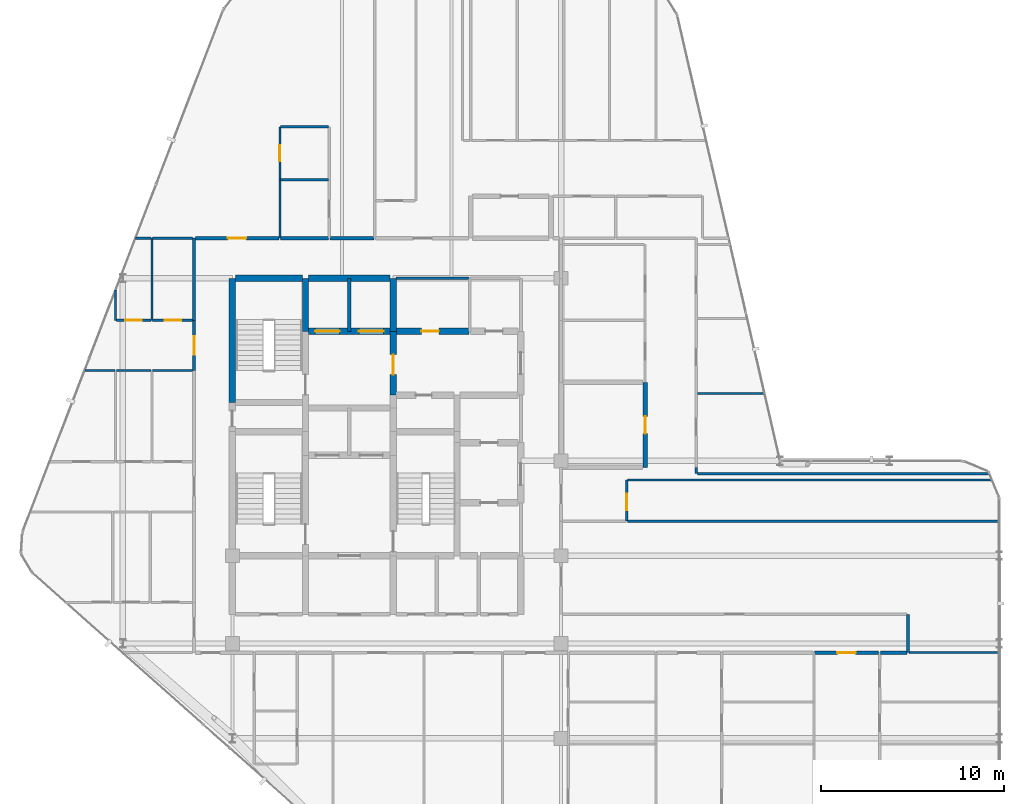
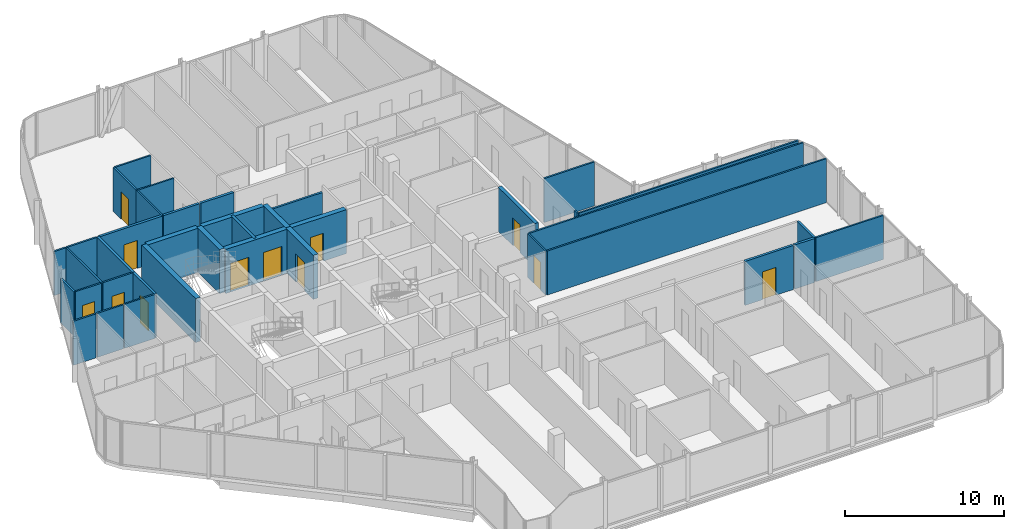
# One storey, part 26 of 29: 39 walls, 12 doors, 12 openings.
"""IFC4 building model written with IfcOpenShell, lengths in metres."""

from ifc_helpers import new_model, si_unit, direction, frame, frame_2d, origin, place, context, subcontext, project, spatial, rectangle, extrude, material, layer, layer_set, type_object, element, fill, save


model = new_model("IFC4")

# Units and contexts
model_context = context("Model", 3, precision=1e-05, world=origin(), true_north=direction((0.0, 1.0)))
body_context = subcontext(model_context, "Body", "Model", "MODEL_VIEW")
ifc_project = project(units=[si_unit("LENGTHUNIT", "METRE"), si_unit("AREAUNIT", "SQUARE_METRE"), si_unit("VOLUMEUNIT", "CUBIC_METRE"), si_unit("PLANEANGLEUNIT", "RADIAN"), si_unit("MASSUNIT", "GRAM", prefix="KILO")], contexts=[model_context])

# Site, building, storey
site_placement = place(None, origin())
site = spatial("IfcSite", under=ifc_project, at=site_placement, CompositionType="ELEMENT")
building_placement = place(site_placement, origin())
building = spatial("IfcBuilding", under=site, at=building_placement, Name="Keshet Zoharim Tower", CompositionType="ELEMENT")
storey_placement = place(building_placement, frame((0.0, 0.0, 226.5)))
storey = spatial("IfcBuildingStorey", under=building, at=storey_placement, Name="L56", CompositionType="ELEMENT", Elevation=226.5)

# Walls
ifc_material_1 = material(Name="Gypsum Plasterboard", Category="gypsum")
ifc_layer_1 = layer(ifc_material_1, 0.14990234375)
ifc_layer_set_1 = layer_set([ifc_layer_1], Name="Gypsum Plasterboard")
wall_type_1 = type_object("IfcWallType", Name="WL-CLIN-150", PredefinedType="STANDARD", material=ifc_layer_set_1)
wall_1_placement = place(storey_placement, frame((52.0, 17.409912109375, 0.0), z_axis=(0.0, 0.0, 1.0), x_axis=(0.0, 1.0, 0.0)))
element("IfcWall", 1, at=wall_1_placement, inside=storey, type_object=wall_type_1, Name="L56 Interior Wall 096", PredefinedType="STANDARD", context=body_context, shape_type="SweptSolid", body=[
    extrude(rectangle(XDim=2.090087890625, YDim=0.14990234375, at=frame_2d((1.044921875, 0.0))), origin(), (0.0, 0.0, 1.0), 3.389892578125),
])
wall_2_placement = place(storey_placement, frame((23.9599609375, 37.89990234375, 0.0), z_axis=(0.0, 0.0, 1.0), x_axis=(1.0, 0.0, 0.0)))
element("IfcWall", 2, at=wall_2_placement, inside=storey, type_object=wall_type_1, Name="L56 Interior Wall 169", PredefinedType="STANDARD", context=body_context, shape_type="SweptSolid", body=[
    extrude(rectangle(XDim=3.9951171875, YDim=0.14990234375, at=frame_2d((1.99755859375, 0.0))), origin(), (0.0, 0.0, 1.0), 2.889892578125),
])
ifc_material_2 = material(Name="Concrete C60/75", Category="concrete")
ifc_layer_2 = layer(ifc_material_2, 0.35009765625)
ifc_layer_set_2 = layer_set([ifc_layer_2], Name="Concrete C60/75")
wall_type_2 = type_object("IfcWallType", Name="WL-CORE-350", PredefinedType="SHEAR", material=ifc_layer_set_2)
wall_3_placement = place(storey_placement, frame((15.0, 31.10009765625, 0.0), z_axis=(0.0, 0.0, 1.0), x_axis=(0.0, 1.0, 0.0)))
element("IfcWall", 3, at=wall_3_placement, inside=storey, type_object=wall_type_2, Name="L56 Core Shear Wall 016", PredefinedType="SHEAR", context=body_context, shape_type="SweptSolid", body=[
    extrude(rectangle(XDim=6.7998046875, YDim=0.35009765625, at=frame_2d((3.39990234375, 0.0))), origin(), (0.0, 0.0, 1.0), 3.389892578125),
])
wall_4_placement = place(storey_placement, frame((19.0, 35.0, 0.0), z_axis=(0.0, 0.0, 1.0), x_axis=(0.0, 1.0, 0.0)))
element("IfcWall", 4, at=wall_4_placement, inside=storey, type_object=wall_type_2, Name="L56 Core Shear Wall 027", PredefinedType="SHEAR", context=body_context, shape_type="SweptSolid", body=[
    extrude(rectangle(XDim=2.89990234375, YDim=0.35009765625, at=frame_2d((1.449951171875, 0.0))), origin(), (0.0, 0.0, 1.0), 3.389892578125),
])

# Wall, opening, door
wall_5_placement = place(storey_placement, frame((23.800048828125, 31.5, 0.0), z_axis=(0.0, 0.0, 1.0), x_axis=(0.0, 1.0, 0.0)))
wall_5 = element("IfcWall", 5, at=wall_5_placement, inside=storey, type_object=wall_type_2, Name="L56 Core Shear Wall 040", PredefinedType="SHEAR", context=body_context, shape_type="SweptSolid", body=[
    extrude(rectangle(XDim=3.5, YDim=0.35009765625, at=frame_2d((1.75, 0.0))), origin(), (0.0, 0.0, 1.0), 3.389892578125),
])
opening_1_placement = place(wall_5_placement, frame((1.126953125, 0.0, 0.0)))
opening_1 = element("IfcOpeningElement", 6, at=opening_1_placement, cuts=wall_5, Name="Opening D-F611", PredefinedType="OPENING", context=body_context, shape_type="SweptSolid", body=[
    extrude(rectangle(XDim=1.10009765625, YDim=2.14990234375, at=frame_2d((0.550048828125, 1.074951171875))), frame((0.0, 0.18505859375, 0.0), z_axis=(0.0, -1.0, 0.0), x_axis=(1.0, 0.0, 0.0)), (0.0, 0.0, 1.0), 0.3701171875),
])
ifc_material_3 = material(Name="Hardwood Timber", Category="wood")
door_type_1 = type_object("IfcDoorType", Name="DR-FD60-110", OperationType="NOTDEFINED", PredefinedType="DOOR", material=ifc_material_3)
door_1_placement = place(opening_1_placement, origin())
door_1 = element("IfcDoor", 7, at=door_1_placement, inside=storey, type_object=door_type_1, Name="L56 Firefighting Lobby Fire Door", OperationType="SINGLE_SWING_LEFT", OverallHeight=2.14990234375, OverallWidth=1.10009765625, PredefinedType="DOOR", context=body_context, shape_type="SweptSolid", body=[
    extrude(rectangle(XDim=1.10009765625, YDim=2.14990234375, at=frame_2d((0.550048828125, 1.074951171875))), frame((0.0, 0.02490234375, 0.0), z_axis=(0.0, -1.0, 0.0), x_axis=(1.0, 0.0, 0.0)), (0.0, 0.0, 1.0), 0.050048828125),
])
fill(opening_1, door_1)

# Wall
wall_6_placement = place(storey_placement, frame((23.800048828125, 35.0, 0.0), z_axis=(0.0, 0.0, 1.0), x_axis=(0.0, 1.0, 0.0)))
element("IfcWall", 8, at=wall_6_placement, inside=storey, type_object=wall_type_2, Name="L56 Core Shear Wall 041", PredefinedType="SHEAR", context=body_context, shape_type="SweptSolid", body=[
    extrude(rectangle(XDim=2.89990234375, YDim=0.35009765625, at=frame_2d((1.449951171875, 0.0))), origin(), (0.0, 0.0, 1.0), 3.389892578125),
])

# Wall, openings, doors
wall_7_placement = place(storey_placement, frame((19.159912109375, 35.0, 0.0), z_axis=(0.0, 0.0, 1.0), x_axis=(1.0, 0.0, 0.0)))
wall_7 = element("IfcWall", 9, at=wall_7_placement, inside=storey, type_object=wall_type_2, Name="L56 Core Shear Wall 160", PredefinedType="SHEAR", context=body_context, shape_type="SweptSolid", body=[
    extrude(rectangle(XDim=4.47998046875, YDim=0.35009765625, at=frame_2d((2.239990234375, 0.0))), origin(), (0.0, 0.0, 1.0), 3.389892578125),
])
opening_2_placement = place(wall_7_placement, frame((0.364990234375, 0.0, 0.0)))
opening_2 = element("IfcOpeningElement", 10, at=opening_2_placement, cuts=wall_7, Name="Opening LD-02", PredefinedType="OPENING", context=body_context, shape_type="SweptSolid", body=[
    extrude(rectangle(XDim=1.35009765625, YDim=2.199951171875, at=frame_2d((0.675048828125, 1.10009765625))), frame((0.0, 0.18505859375, 0.0), z_axis=(0.0, -1.0, 0.0), x_axis=(1.0, 0.0, 0.0)), (0.0, 0.0, 1.0), 0.3701171875),
])
opening_3_placement = place(wall_7_placement, frame((2.764892578125, 0.0, 0.0)))
opening_3 = element("IfcOpeningElement", 11, at=opening_3_placement, cuts=wall_7, Name="Opening LD-02", PredefinedType="OPENING", context=body_context, shape_type="SweptSolid", body=[
    extrude(rectangle(XDim=1.35009765625, YDim=2.199951171875, at=frame_2d((0.675048828125, 1.10009765625))), frame((0.0, 0.18505859375, 0.0), z_axis=(0.0, -1.0, 0.0), x_axis=(1.0, 0.0, 0.0)), (0.0, 0.0, 1.0), 0.3701171875),
])
ifc_material_4 = material(Name="Steel S355", Category="steel")
door_type_2 = type_object("IfcDoorType", Name="DR-LD02-135", OperationType="DOUBLE_DOOR_SLIDING", PredefinedType="DOOR", material=ifc_material_4)
door_2_placement = place(opening_2_placement, origin())
door_2 = element("IfcDoor", 12, at=door_2_placement, inside=storey, type_object=door_type_2, Name="L56 Firefighting Lift Landing Door FF-01", OperationType="DOUBLE_DOOR_SLIDING", OverallHeight=2.199951171875, OverallWidth=1.35009765625, PredefinedType="DOOR", context=body_context, shape_type="SweptSolid", body=[
    extrude(rectangle(XDim=1.35009765625, YDim=2.199951171875, at=frame_2d((0.675048828125, 1.10009765625))), frame((0.0, 0.02490234375, 0.0), z_axis=(0.0, -1.0, 0.0), x_axis=(1.0, 0.0, 0.0)), (0.0, 0.0, 1.0), 0.050048828125),
])
fill(opening_2, door_2)
door_3_placement = place(opening_3_placement, origin())
door_3 = element("IfcDoor", 13, at=door_3_placement, inside=storey, type_object=door_type_2, Name="L56 Firefighting Lift Landing Door FF-02", OperationType="DOUBLE_DOOR_SLIDING", OverallHeight=2.199951171875, OverallWidth=1.35009765625, PredefinedType="DOOR", context=body_context, shape_type="SweptSolid", body=[
    extrude(rectangle(XDim=1.35009765625, YDim=2.199951171875, at=frame_2d((0.675048828125, 1.10009765625))), frame((0.0, 0.02490234375, 0.0), z_axis=(0.0, -1.0, 0.0), x_axis=(1.0, 0.0, 0.0)), (0.0, 0.0, 1.0), 0.050048828125),
])
fill(opening_3, door_3)

# Wall, opening, door
wall_8_placement = place(storey_placement, frame((23.9599609375, 35.0, 0.0), z_axis=(0.0, 0.0, 1.0), x_axis=(1.0, 0.0, 0.0)))
wall_8 = element("IfcWall", 14, at=wall_8_placement, inside=storey, type_object=wall_type_2, Name="L56 Core Shear Wall 161", PredefinedType="SHEAR", context=body_context, shape_type="SweptSolid", body=[
    extrude(rectangle(XDim=3.9951171875, YDim=0.35009765625, at=frame_2d((1.99755859375, 0.0))), origin(), (0.0, 0.0, 1.0), 3.389892578125),
])
opening_4_placement = place(wall_8_placement, frame((1.39306640625, 0.0, 0.0)))
opening_4 = element("IfcOpeningElement", 15, at=opening_4_placement, cuts=wall_8, Name="Opening D-F695", PredefinedType="OPENING", context=body_context, shape_type="SweptSolid", body=[
    extrude(rectangle(XDim=0.949951171875, YDim=2.14990234375, at=frame_2d((0.47509765625, 1.074951171875))), frame((0.0, 0.18505859375, 0.0), z_axis=(0.0, -1.0, 0.0), x_axis=(1.0, 0.0, 0.0)), (0.0, 0.0, 1.0), 0.3701171875),
])
door_type_3 = type_object("IfcDoorType", Name="DR-FD60-095", OperationType="NOTDEFINED", PredefinedType="DOOR", material=ifc_material_3)
door_4_placement = place(opening_4_placement, frame((0.949951171875, 0.0, 0.0), z_axis=(0.0, 0.0, 1.0), x_axis=(-1.0, 0.0, 0.0)))
door_4 = element("IfcDoor", 16, at=door_4_placement, inside=storey, type_object=door_type_3, Name="L56 Laundry Room Door", OperationType="SINGLE_SWING_RIGHT", OverallHeight=2.14990234375, OverallWidth=0.949951171875, PredefinedType="DOOR", context=body_context, shape_type="SweptSolid", body=[
    extrude(rectangle(XDim=0.949951171875, YDim=2.14990234375, at=frame_2d((0.47509765625, 1.074951171875))), frame((0.0, 0.02490234375, 0.0), z_axis=(0.0, -1.0, 0.0), x_axis=(1.0, 0.0, 0.0)), (0.0, 0.0, 1.0), 0.050048828125),
])
fill(opening_4, door_4)

# Walls
wall_9_placement = place(storey_placement, frame((15.159912109375, 37.89990234375, 0.0), z_axis=(0.0, 0.0, 1.0), x_axis=(1.0, 0.0, 0.0)))
element("IfcWall", 17, at=wall_9_placement, inside=storey, type_object=wall_type_2, Name="L56 Core Shear Wall 167", PredefinedType="SHEAR", context=body_context, shape_type="SweptSolid", body=[
    extrude(rectangle(XDim=3.68017578125, YDim=0.35009765625, at=frame_2d((1.840087890625, 0.0))), origin(), (0.0, 0.0, 1.0), 3.389892578125),
])
wall_10_placement = place(storey_placement, frame((19.159912109375, 37.89990234375, 0.0), z_axis=(0.0, 0.0, 1.0), x_axis=(1.0, 0.0, 0.0)))
element("IfcWall", 18, at=wall_10_placement, inside=storey, type_object=wall_type_2, Name="L56 Core Shear Wall 168", PredefinedType="SHEAR", context=body_context, shape_type="SweptSolid", body=[
    extrude(rectangle(XDim=4.47998046875, YDim=0.35009765625, at=frame_2d((2.239990234375, 0.0))), origin(), (0.0, 0.0, 1.0), 3.389892578125),
])

# Wall, opening, door
ifc_layer_3 = layer(ifc_material_1, 0.179931640625)
ifc_layer_set_3 = layer_set([ifc_layer_3], Name="Gypsum Plasterboard")
wall_type_3 = type_object("IfcWallType", Name="WL-CORR-180", PredefinedType="STANDARD", material=ifc_layer_set_3)
wall_11_placement = place(storey_placement, frame((12.89990234375, 32.840087890625, 0.0), z_axis=(0.0, 0.0, 1.0), x_axis=(0.0, 1.0, 0.0)))
wall_11 = element("IfcWall", 19, at=wall_11_placement, inside=storey, type_object=wall_type_3, Name="L56 Interior Wall 011", PredefinedType="STANDARD", context=body_context, shape_type="SweptSolid", body=[
    extrude(rectangle(XDim=2.75, YDim=0.179931640625, at=frame_2d((1.375, 0.0))), origin(), (0.0, 0.0, 1.0), 3.389892578125),
])
opening_5_placement = place(wall_11_placement, frame((0.875, 0.0, 0.0)))
opening_5 = element("IfcOpeningElement", 20, at=opening_5_placement, cuts=wall_11, Name="Opening D-F310", PredefinedType="OPENING", context=body_context, shape_type="SweptSolid", body=[
    extrude(rectangle(XDim=1.0, YDim=2.14990234375, at=frame_2d((0.5, 1.074951171875))), frame((0.0, 0.10009765625, 0.0), z_axis=(0.0, -1.0, 0.0), x_axis=(1.0, 0.0, 0.0)), (0.0, 0.0, 1.0), 0.199951171875),
])
door_type_4 = type_object("IfcDoorType", Name="DR-FD30-100", OperationType="NOTDEFINED", PredefinedType="DOOR", material=ifc_material_3)
door_5_placement = place(opening_5_placement, origin())
door_5 = element("IfcDoor", 21, at=door_5_placement, inside=storey, type_object=door_type_4, Name="Apartment 5609 Entrance Door", OperationType="SINGLE_SWING_RIGHT", OverallHeight=2.14990234375, OverallWidth=1.0, PredefinedType="DOOR", context=body_context, shape_type="SweptSolid", body=[
    extrude(rectangle(XDim=1.0, YDim=2.14990234375, at=frame_2d((0.5, 1.074951171875))), frame((0.0, 0.02490234375, 0.0), z_axis=(0.0, -1.0, 0.0), x_axis=(1.0, 0.0, 0.0)), (0.0, 0.0, 1.0), 0.050048828125),
])
fill(opening_5, door_5)

# Wall
wall_12_placement = place(storey_placement, frame((12.89990234375, 35.590087890625, 0.0), z_axis=(0.0, 0.0, 1.0), x_axis=(0.0, 1.0, 0.0)))
element("IfcWall", 22, at=wall_12_placement, inside=storey, type_object=wall_type_3, Name="L56 Interior Wall 012", PredefinedType="STANDARD", context=body_context, shape_type="SweptSolid", body=[
    extrude(rectangle(XDim=4.510009765625, YDim=0.179931640625, at=frame_2d((2.2548828125, 0.0))), origin(), (0.0, 0.0, 1.0), 3.389892578125),
])

# Wall, opening, door
wall_13_placement = place(storey_placement, frame((46.885009765625, 17.39990234375, 0.0), z_axis=(0.0, 0.0, 1.0), x_axis=(1.0, 0.0, 0.0)))
wall_13 = element("IfcWall", 23, at=wall_13_placement, inside=storey, type_object=wall_type_3, Name="L56 Interior Wall 119", PredefinedType="STANDARD", context=body_context, shape_type="SweptSolid", body=[
    extrude(rectangle(XDim=3.510009765625, YDim=0.179931640625, at=frame_2d((1.7548828125, 0.0))), origin(), (0.0, 0.0, 1.0), 3.389892578125),
])
opening_6_placement = place(wall_13_placement, frame((1.2548828125, 0.0, 0.0)))
opening_6 = element("IfcOpeningElement", 24, at=opening_6_placement, cuts=wall_13, Name="Opening D-F310", PredefinedType="OPENING", context=body_context, shape_type="SweptSolid", body=[
    extrude(rectangle(XDim=1.0, YDim=2.14990234375, at=frame_2d((0.5, 1.074951171875))), frame((0.0, 0.10009765625, 0.0), z_axis=(0.0, -1.0, 0.0), x_axis=(1.0, 0.0, 0.0)), (0.0, 0.0, 1.0), 0.199951171875),
])
door_6_placement = place(opening_6_placement, origin())
door_6 = element("IfcDoor", 25, at=door_6_placement, inside=storey, type_object=door_type_4, Name="Apartment 5604 Entrance Door", OperationType="SINGLE_SWING_LEFT", OverallHeight=2.14990234375, OverallWidth=1.0, PredefinedType="DOOR", context=body_context, shape_type="SweptSolid", body=[
    extrude(rectangle(XDim=1.0, YDim=2.14990234375, at=frame_2d((0.5, 1.074951171875))), frame((0.0, 0.02490234375, 0.0), z_axis=(0.0, -1.0, 0.0), x_axis=(1.0, 0.0, 0.0)), (0.0, 0.0, 1.0), 0.050048828125),
])
fill(opening_6, door_6)

# Wall
wall_14_placement = place(storey_placement, frame((50.485107421875, 17.39990234375, 0.0), z_axis=(0.0, 0.0, 1.0), x_axis=(1.0, 0.0, 0.0)))
element("IfcWall", 26, at=wall_14_placement, inside=storey, type_object=wall_type_3, Name="L56 Interior Wall 120", PredefinedType="STANDARD", context=body_context, shape_type="SweptSolid", body=[
    extrude(rectangle(XDim=1.454833984375, YDim=0.179931640625, at=frame_2d((0.7275390625, 0.0))), origin(), (0.0, 0.0, 1.0), 3.389892578125),
])

# Wall, opening, door
wall_15_placement = place(storey_placement, frame((12.97509765625, 40.10009765625, 0.0), z_axis=(0.0, 0.0, 1.0), x_axis=(1.0, 0.0, 0.0)))
wall_15 = element("IfcWall", 27, at=wall_15_placement, inside=storey, type_object=wall_type_3, Name="L56 Interior Wall 175", PredefinedType="STANDARD", context=body_context, shape_type="SweptSolid", body=[
    extrude(rectangle(XDim=4.579833984375, YDim=0.179931640625, at=frame_2d((2.2900390625, 0.0))), origin(), (0.0, 0.0, 1.0), 3.389892578125),
])
opening_7_placement = place(wall_15_placement, frame((1.77490234375, 0.0, 0.0)))
opening_7 = element("IfcOpeningElement", 28, at=opening_7_placement, cuts=wall_15, Name="Opening D-F310", PredefinedType="OPENING", context=body_context, shape_type="SweptSolid", body=[
    extrude(rectangle(XDim=1.0, YDim=2.14990234375, at=frame_2d((0.5, 1.074951171875))), frame((0.0, 0.10009765625, 0.0), z_axis=(0.0, -1.0, 0.0), x_axis=(1.0, 0.0, 0.0)), (0.0, 0.0, 1.0), 0.199951171875),
])
door_7_placement = place(opening_7_placement, origin())
door_7 = element("IfcDoor", 29, at=door_7_placement, inside=storey, type_object=door_type_4, Name="Apartment 5605 Entrance Door", OperationType="SINGLE_SWING_RIGHT", OverallHeight=2.14990234375, OverallWidth=1.0, PredefinedType="DOOR", context=body_context, shape_type="SweptSolid", body=[
    extrude(rectangle(XDim=1.0, YDim=2.14990234375, at=frame_2d((0.5, 1.074951171875))), frame((0.0, 0.02490234375, 0.0), z_axis=(0.0, -1.0, 0.0), x_axis=(1.0, 0.0, 0.0)), (0.0, 0.0, 1.0), 0.050048828125),
])
fill(opening_7, door_7)

# Walls
wall_16_placement = place(storey_placement, frame((17.64501953125, 40.10009765625, 0.0), z_axis=(0.0, 0.0, 1.0), x_axis=(1.0, 0.0, 0.0)))
element("IfcWall", 30, at=wall_16_placement, inside=storey, type_object=wall_type_3, Name="L56 Interior Wall 176", PredefinedType="STANDARD", context=body_context, shape_type="SweptSolid", body=[
    extrude(rectangle(XDim=2.60986328125, YDim=0.179931640625, at=frame_2d((1.304931640625, 0.0))), origin(), (0.0, 0.0, 1.0), 3.389892578125),
])
wall_17_placement = place(storey_placement, frame((20.344970703125, 40.10009765625, 0.0), z_axis=(0.0, 0.0, 1.0), x_axis=(1.0, 0.0, 0.0)))
element("IfcWall", 31, at=wall_17_placement, inside=storey, type_object=wall_type_3, Name="L56 Interior Wall 177", PredefinedType="STANDARD", context=body_context, shape_type="SweptSolid", body=[
    extrude(rectangle(XDim=2.409912109375, YDim=0.179931640625, at=frame_2d((1.205078125, 0.0))), origin(), (0.0, 0.0, 1.0), 3.389892578125),
])
ifc_material_5 = material(Name="Concrete C50/60", Category="concrete")
ifc_layer_4 = layer(ifc_material_5, 0.199951171875)
ifc_layer_set_4 = layer_set([ifc_layer_4], Name="Concrete C50/60")
wall_type_4 = type_object("IfcWallType", Name="WL-FIRE-200", PredefinedType="STANDARD", material=ifc_layer_set_4)
wall_18_placement = place(storey_placement, frame((21.39990234375, 35.0, 0.0), z_axis=(0.0, 0.0, 1.0), x_axis=(0.0, 1.0, 0.0)))
element("IfcWall", 32, at=wall_18_placement, inside=storey, type_object=wall_type_4, Name="L56 Interior Wall 032", PredefinedType="STANDARD", context=body_context, shape_type="SweptSolid", body=[
    extrude(rectangle(XDim=2.89990234375, YDim=0.199951171875, at=frame_2d((1.449951171875, 0.0))), origin(), (0.0, 0.0, 1.0), 3.389892578125),
])

# Wall, opening, door
ifc_layer_5 = layer(ifc_material_5, 0.25)
ifc_layer_set_5 = layer_set([ifc_layer_5], Name="Concrete C50/60")
wall_type_5 = type_object("IfcWallType", Name="WL-MAMAD-250", PredefinedType="STANDARD", material=ifc_layer_set_5)
wall_19_placement = place(storey_placement, frame((37.60009765625, 27.550048828125, 0.0), z_axis=(0.0, 0.0, 1.0), x_axis=(0.0, 1.0, 0.0)))
wall_19 = element("IfcWall", 33, at=wall_19_placement, inside=storey, type_object=wall_type_5, Name="L56 Interior Wall 076", PredefinedType="STANDARD", context=body_context, shape_type="SweptSolid", body=[
    extrude(rectangle(XDim=4.635986328125, YDim=0.25, at=frame_2d((2.31787109375, 0.0))), origin(), (0.0, 0.0, 1.0), 3.389892578125),
])
opening_8_placement = place(wall_19_placement, frame((1.843017578125, 0.0, 0.0)))
opening_8 = element("IfcOpeningElement", 34, at=opening_8_placement, cuts=wall_19, Name="Opening D-F695", PredefinedType="OPENING", context=body_context, shape_type="SweptSolid", body=[
    extrude(rectangle(XDim=0.949951171875, YDim=2.14990234375, at=frame_2d((0.47509765625, 1.074951171875))), frame((0.0, 0.135009765625, 0.0), z_axis=(0.0, -1.0, 0.0), x_axis=(1.0, 0.0, 0.0)), (0.0, 0.0, 1.0), 0.27001953125),
])
door_8_placement = place(opening_8_placement, origin())
door_8 = element("IfcDoor", 35, at=door_8_placement, inside=storey, type_object=door_type_3, Name="Apartment 5610 Study and Shelter Room Door", OperationType="SINGLE_SWING_LEFT", OverallHeight=2.14990234375, OverallWidth=0.949951171875, PredefinedType="DOOR", context=body_context, shape_type="SweptSolid", body=[
    extrude(rectangle(XDim=0.949951171875, YDim=2.14990234375, at=frame_2d((0.47509765625, 1.074951171875))), frame((0.0, 0.02490234375, 0.0), z_axis=(0.0, -1.0, 0.0), x_axis=(1.0, 0.0, 0.0)), (0.0, 0.0, 1.0), 0.050048828125),
])
fill(opening_8, door_8)

# Walls
ifc_layer_6 = layer(ifc_material_1, 0.1201171875)
ifc_layer_set_6 = layer_set([ifc_layer_6], Name="Gypsum Plasterboard")
wall_type_6 = type_object("IfcWallType", Name="WL-PART-120", PredefinedType="PARTITIONING", material=ifc_layer_set_6)
wall_20_placement = place(storey_placement, frame((8.60009765625, 35.590087890625, 0.0), z_axis=(0.0, 0.0, 1.0), x_axis=(0.0, 1.0, 0.0)))
element("IfcWall", 36, at=wall_20_placement, inside=storey, type_object=wall_type_6, Name="L56 Interior Wall 003", PredefinedType="PARTITIONING", context=body_context, shape_type="SweptSolid", body=[
    extrude(rectangle(XDim=1.659912109375, YDim=0.1201171875, at=frame_2d((0.830078125, 0.0))), origin(), (0.0, 0.0, 1.0), 3.389892578125),
])
wall_21_placement = place(storey_placement, frame((17.60009765625, 40.10009765625, 0.0), z_axis=(0.0, 0.0, 1.0), x_axis=(0.0, 1.0, 0.0)))
element("IfcWall", 37, at=wall_21_placement, inside=storey, type_object=wall_type_6, Name="L56 Interior Wall 019", PredefinedType="PARTITIONING", context=body_context, shape_type="SweptSolid", body=[
    extrude(rectangle(XDim=3.199951171875, YDim=0.1201171875, at=frame_2d((1.60009765625, 0.0))), origin(), (0.0, 0.0, 1.0), 3.389892578125),
])

# Wall, opening, door
wall_22_placement = place(storey_placement, frame((36.60009765625, 24.60009765625, 0.0), z_axis=(0.0, 0.0, 1.0), x_axis=(0.0, 1.0, 0.0)))
wall_22 = element("IfcWall", 38, at=wall_22_placement, inside=storey, type_object=wall_type_6, Name="L56 Interior Wall 075", PredefinedType="PARTITIONING", context=body_context, shape_type="SweptSolid", body=[
    extrude(rectangle(XDim=2.25, YDim=0.1201171875, at=frame_2d((1.125, 0.0))), origin(), (0.0, 0.0, 1.0), 3.389892578125),
])
opening_9_placement = place(wall_22_placement, frame((0.597900390625, 0.0, 0.0)))
opening_9 = element("IfcOpeningElement", 39, at=opening_9_placement, cuts=wall_22, Name="Opening D-IN90", PredefinedType="OPENING", context=body_context, shape_type="SweptSolid", body=[
    extrude(rectangle(XDim=0.89990234375, YDim=2.14990234375, at=frame_2d((0.449951171875, 1.074951171875))), frame((0.0, 0.070068359375, 0.0), z_axis=(0.0, -1.0, 0.0), x_axis=(1.0, 0.0, 0.0)), (0.0, 0.0, 1.0), 0.14013671875),
])
door_type_5 = type_object("IfcDoorType", Name="DR-INT-090", OperationType="NOTDEFINED", PredefinedType="DOOR", material=ifc_material_3)
door_9_placement = place(opening_9_placement, origin())
door_9 = element("IfcDoor", 40, at=door_9_placement, inside=storey, type_object=door_type_5, Name="Apartment 5610 Formal Dining Room Door", OperationType="SINGLE_SWING_RIGHT", OverallHeight=2.14990234375, OverallWidth=0.89990234375, PredefinedType="DOOR", context=body_context, shape_type="SweptSolid", body=[
    extrude(rectangle(XDim=0.89990234375, YDim=2.14990234375, at=frame_2d((0.449951171875, 1.074951171875))), frame((0.0, 0.02490234375, 0.0), z_axis=(0.0, -1.0, 0.0), x_axis=(1.0, 0.0, 0.0)), (0.0, 0.0, 1.0), 0.050048828125),
])
fill(opening_9, door_9)

# Walls
wall_23_placement = place(storey_placement, frame((40.39990234375, 27.199951171875, 0.0), z_axis=(0.0, 0.0, 1.0), x_axis=(0.0, 1.0, 0.0)))
element("IfcWall", 41, at=wall_23_placement, inside=storey, type_object=wall_type_6, Name="L56 Interior Wall 083", PredefinedType="PARTITIONING", context=body_context, shape_type="SweptSolid", body=[
    extrude(rectangle(XDim=0.35009765625, YDim=0.1201171875, at=frame_2d((0.175048828125, 0.0))), origin(), (0.0, 0.0, 1.0), 3.389892578125),
])
wall_24_placement = place(storey_placement, frame((36.64501953125, 24.60009765625, 0.0), z_axis=(0.0, 0.0, 1.0), x_axis=(1.0, 0.0, 0.0)))
element("IfcWall", 42, at=wall_24_placement, inside=storey, type_object=wall_type_6, Name="L56 Interior Wall 136", PredefinedType="PARTITIONING", context=body_context, shape_type="SweptSolid", body=[
    extrude(rectangle(XDim=20.344970703125, YDim=0.1201171875, at=frame_2d((10.17236328125, 0.0))), origin(), (0.0, 0.0, 1.0), 3.389892578125),
])
wall_25_placement = place(storey_placement, frame((36.64501953125, 26.85009765625, 0.0), z_axis=(0.0, 0.0, 1.0), x_axis=(1.0, 0.0, 0.0)))
element("IfcWall", 43, at=wall_25_placement, inside=storey, type_object=wall_type_6, Name="L56 Interior Wall 141", PredefinedType="PARTITIONING", context=body_context, shape_type="SweptSolid", body=[
    extrude(rectangle(XDim=19.950927734375, YDim=0.1201171875, at=frame_2d((9.9755859375, 0.0))), origin(), (0.0, 0.0, 1.0), 3.389892578125),
])
wall_26_placement = place(storey_placement, frame((40.465087890625, 27.199951171875, 0.0), z_axis=(0.0, 0.0, 1.0), x_axis=(1.0, 0.0, 0.0)))
element("IfcWall", 44, at=wall_26_placement, inside=storey, type_object=wall_type_6, Name="L56 Interior Wall 142", PredefinedType="PARTITIONING", context=body_context, shape_type="SweptSolid", body=[
    extrude(rectangle(XDim=15.98583984375, YDim=0.1201171875, at=frame_2d((7.992919921875, 0.0))), origin(), (0.0, 0.0, 1.0), 3.389892578125),
])
wall_27_placement = place(storey_placement, frame((40.465087890625, 31.60009765625, 0.0), z_axis=(0.0, 0.0, 1.0), x_axis=(1.0, 0.0, 0.0)))
element("IfcWall", 45, at=wall_27_placement, inside=storey, type_object=wall_type_6, Name="L56 Interior Wall 155", PredefinedType="PARTITIONING", context=body_context, shape_type="SweptSolid", body=[
    extrude(rectangle(XDim=3.6708984375, YDim=0.1201171875, at=frame_2d((1.83544921875, 0.0))), origin(), (0.0, 0.0, 1.0), 3.389892578125),
])
wall_28_placement = place(storey_placement, frame((6.9140625, 32.85009765625, 0.0), z_axis=(0.0, 0.0, 1.0), x_axis=(1.0, 0.0, 0.0)))
element("IfcWall", 46, at=wall_28_placement, inside=storey, type_object=wall_type_6, Name="L56 Interior Wall 157", PredefinedType="PARTITIONING", context=body_context, shape_type="SweptSolid", body=[
    extrude(rectangle(XDim=1.640869140625, YDim=0.1201171875, at=frame_2d((0.8203125, 0.0))), origin(), (0.0, 0.0, 1.0), 3.389892578125),
])
wall_29_placement = place(storey_placement, frame((8.64501953125, 32.85009765625, 0.0), z_axis=(0.0, 0.0, 1.0), x_axis=(1.0, 0.0, 0.0)))
element("IfcWall", 47, at=wall_29_placement, inside=storey, type_object=wall_type_6, Name="L56 Interior Wall 158", PredefinedType="PARTITIONING", context=body_context, shape_type="SweptSolid", body=[
    extrude(rectangle(XDim=1.887939453125, YDim=0.1201171875, at=frame_2d((0.94384765625, 0.0))), origin(), (0.0, 0.0, 1.0), 3.389892578125),
])

# Wall, opening, door
wall_30_placement = place(storey_placement, frame((8.64501953125, 35.60009765625, 0.0), z_axis=(0.0, 0.0, 1.0), x_axis=(1.0, 0.0, 0.0)))
wall_30 = element("IfcWall", 48, at=wall_30_placement, inside=storey, type_object=wall_type_6, Name="L56 Interior Wall 163", PredefinedType="PARTITIONING", context=body_context, shape_type="SweptSolid", body=[
    extrude(rectangle(XDim=1.887939453125, YDim=0.1201171875, at=frame_2d((0.94384765625, 0.0))), origin(), (0.0, 0.0, 1.0), 3.389892578125),
])
opening_10_placement = place(wall_30_placement, frame((0.493896484375, 0.0, 0.0)))
opening_10 = element("IfcOpeningElement", 49, at=opening_10_placement, cuts=wall_30, Name="Opening D-IN90", PredefinedType="OPENING", context=body_context, shape_type="SweptSolid", body=[
    extrude(rectangle(XDim=0.89990234375, YDim=2.14990234375, at=frame_2d((0.449951171875, 1.074951171875))), frame((0.0, 0.070068359375, 0.0), z_axis=(0.0, -1.0, 0.0), x_axis=(1.0, 0.0, 0.0)), (0.0, 0.0, 1.0), 0.14013671875),
])
door_10_placement = place(opening_10_placement, origin())
door_10 = element("IfcDoor", 50, at=door_10_placement, inside=storey, type_object=door_type_5, Name="Apartment 5609 Kitchen Door", OperationType="SINGLE_SWING_RIGHT", OverallHeight=2.14990234375, OverallWidth=0.89990234375, PredefinedType="DOOR", context=body_context, shape_type="SweptSolid", body=[
    extrude(rectangle(XDim=0.89990234375, YDim=2.14990234375, at=frame_2d((0.449951171875, 1.074951171875))), frame((0.0, 0.02490234375, 0.0), z_axis=(0.0, -1.0, 0.0), x_axis=(1.0, 0.0, 0.0)), (0.0, 0.0, 1.0), 0.050048828125),
])
fill(opening_10, door_10)

# Walls
wall_31_placement = place(storey_placement, frame((9.701904296875, 40.10009765625, 0.0), z_axis=(0.0, 0.0, 1.0), x_axis=(1.0, 0.0, 0.0)))
element("IfcWall", 51, at=wall_31_placement, inside=storey, type_object=wall_type_6, Name="L56 Interior Wall 173", PredefinedType="PARTITIONING", context=body_context, shape_type="SweptSolid", body=[
    extrude(rectangle(XDim=0.8310546875, YDim=0.1201171875, at=frame_2d((0.41552734375, 0.0))), origin(), (0.0, 0.0, 1.0), 3.389892578125),
])
ifc_layer_7 = layer(ifc_material_1, 0.1201171875)
ifc_layer_set_7 = layer_set([ifc_layer_7], Name="Gypsum Plasterboard")
wall_type_7 = type_object("IfcWallType", Name="WL-WET-120", PredefinedType="PARTITIONING", material=ifc_layer_set_7)
wall_32_placement = place(storey_placement, frame((10.60009765625, 35.590087890625, 0.0), z_axis=(0.0, 0.0, 1.0), x_axis=(0.0, 1.0, 0.0)))
element("IfcWall", 52, at=wall_32_placement, inside=storey, type_object=wall_type_7, Name="L56 Interior Wall 006", PredefinedType="PARTITIONING", context=body_context, shape_type="SweptSolid", body=[
    extrude(rectangle(XDim=4.510009765625, YDim=0.1201171875, at=frame_2d((2.2548828125, 0.0))), origin(), (0.0, 0.0, 1.0), 3.389892578125),
])

# Wall, opening, door
wall_33_placement = place(storey_placement, frame((17.60009765625, 43.300048828125, 0.0), z_axis=(0.0, 0.0, 1.0), x_axis=(0.0, 1.0, 0.0)))
wall_33 = element("IfcWall", 53, at=wall_33_placement, inside=storey, type_object=wall_type_7, Name="L56 Interior Wall 020", PredefinedType="PARTITIONING", context=body_context, shape_type="SweptSolid", body=[
    extrude(rectangle(XDim=2.89990234375, YDim=0.1201171875, at=frame_2d((1.449951171875, 0.0))), origin(), (0.0, 0.0, 1.0), 3.389892578125),
])
opening_11_placement = place(wall_33_placement, frame((1.0, 0.0, 0.0)))
opening_11 = element("IfcOpeningElement", 54, at=opening_11_placement, cuts=wall_33, Name="Opening D-WT90", PredefinedType="OPENING", context=body_context, shape_type="SweptSolid", body=[
    extrude(rectangle(XDim=0.89990234375, YDim=2.10009765625, at=frame_2d((0.449951171875, 1.050048828125))), frame((0.0, 0.070068359375, 0.0), z_axis=(0.0, -1.0, 0.0), x_axis=(1.0, 0.0, 0.0)), (0.0, 0.0, 1.0), 0.14013671875),
])
door_type_6 = type_object("IfcDoorType", Name="DR-WET-090", OperationType="NOTDEFINED", PredefinedType="DOOR", material=ifc_material_3)
door_11_placement = place(opening_11_placement, origin())
door_11 = element("IfcDoor", 55, at=door_11_placement, inside=storey, type_object=door_type_6, Name="Apartment 5605 Bathroom Door", OperationType="SINGLE_SWING_LEFT", OverallHeight=2.10009765625, OverallWidth=0.89990234375, PredefinedType="DOOR", context=body_context, shape_type="SweptSolid", body=[
    extrude(rectangle(XDim=0.89990234375, YDim=2.10009765625, at=frame_2d((0.449951171875, 1.050048828125))), frame((0.0, 0.02490234375, 0.0), z_axis=(0.0, -1.0, 0.0), x_axis=(1.0, 0.0, 0.0)), (0.0, 0.0, 1.0), 0.050048828125),
])
fill(opening_11, door_11)

# Walls
wall_34_placement = place(storey_placement, frame((52.070068359375, 17.39990234375, 0.0), z_axis=(0.0, 0.0, 1.0), x_axis=(1.0, 0.0, 0.0)))
element("IfcWall", 56, at=wall_34_placement, inside=storey, type_object=wall_type_7, Name="L56 Interior Wall 121", PredefinedType="PARTITIONING", context=body_context, shape_type="SweptSolid", body=[
    extrude(rectangle(XDim=4.919921875, YDim=0.1201171875, at=frame_2d((2.4599609375, 0.0))), origin(), (0.0, 0.0, 1.0), 3.389892578125),
])
wall_35_placement = place(storey_placement, frame((10.623046875, 32.85009765625, 0.0), z_axis=(0.0, 0.0, 1.0), x_axis=(1.0, 0.0, 0.0)))
element("IfcWall", 57, at=wall_35_placement, inside=storey, type_object=wall_type_7, Name="L56 Interior Wall 159", PredefinedType="PARTITIONING", context=body_context, shape_type="SweptSolid", body=[
    extrude(rectangle(XDim=2.201904296875, YDim=0.1201171875, at=frame_2d((1.10107421875, 0.0))), origin(), (0.0, 0.0, 1.0), 3.389892578125),
])

# Wall, opening, door
wall_36_placement = place(storey_placement, frame((10.623046875, 35.60009765625, 0.0), z_axis=(0.0, 0.0, 1.0), x_axis=(1.0, 0.0, 0.0)))
wall_36 = element("IfcWall", 58, at=wall_36_placement, inside=storey, type_object=wall_type_7, Name="L56 Interior Wall 164", PredefinedType="PARTITIONING", context=body_context, shape_type="SweptSolid", body=[
    extrude(rectangle(XDim=2.201904296875, YDim=0.1201171875, at=frame_2d((1.10107421875, 0.0))), origin(), (0.0, 0.0, 1.0), 3.389892578125),
])
opening_12_placement = place(wall_36_placement, frame((0.666015625, 0.0, 0.0)))
opening_12 = element("IfcOpeningElement", 59, at=opening_12_placement, cuts=wall_36, Name="Opening D-WT90", PredefinedType="OPENING", context=body_context, shape_type="SweptSolid", body=[
    extrude(rectangle(XDim=0.89990234375, YDim=2.10009765625, at=frame_2d((0.449951171875, 1.050048828125))), frame((0.0, 0.070068359375, 0.0), z_axis=(0.0, -1.0, 0.0), x_axis=(1.0, 0.0, 0.0)), (0.0, 0.0, 1.0), 0.14013671875),
])
door_12_placement = place(opening_12_placement, origin())
door_12 = element("IfcDoor", 60, at=door_12_placement, inside=storey, type_object=door_type_6, Name="Apartment 5609 Bathroom Door", OperationType="SINGLE_SWING_LEFT", OverallHeight=2.10009765625, OverallWidth=0.89990234375, PredefinedType="DOOR", context=body_context, shape_type="SweptSolid", body=[
    extrude(rectangle(XDim=0.89990234375, YDim=2.10009765625, at=frame_2d((0.449951171875, 1.050048828125))), frame((0.0, 0.02490234375, 0.0), z_axis=(0.0, -1.0, 0.0), x_axis=(1.0, 0.0, 0.0)), (0.0, 0.0, 1.0), 0.050048828125),
])
fill(opening_12, door_12)

# Walls
wall_37_placement = place(storey_placement, frame((10.623046875, 40.10009765625, 0.0), z_axis=(0.0, 0.0, 1.0), x_axis=(1.0, 0.0, 0.0)))
element("IfcWall", 61, at=wall_37_placement, inside=storey, type_object=wall_type_7, Name="L56 Interior Wall 174", PredefinedType="PARTITIONING", context=body_context, shape_type="SweptSolid", body=[
    extrude(rectangle(XDim=2.201904296875, YDim=0.1201171875, at=frame_2d((1.10107421875, 0.0))), origin(), (0.0, 0.0, 1.0), 3.389892578125),
])
for number, where, z_axis, x_axis, name in (
    (62, (17.64501953125, 43.300048828125, 0.0), (0.0, 0.0, 1.0), (1.0, 0.0, 0.0), "L56 Interior Wall 188"),
    (63, (17.64501953125, 46.199951171875, 0.0), (0.0, 0.0, 1.0), (1.0, 0.0, 0.0), "L56 Interior Wall 191"),
):
    element("IfcWall", number, at=place(storey_placement, frame(where, z_axis=z_axis, x_axis=x_axis)), inside=storey, type_object=wall_type_7, Name=name, PredefinedType="PARTITIONING", context=body_context, shape_type="SweptSolid", body=[
        extrude(rectangle(XDim=2.60986328125, YDim=0.1201171875, at=frame_2d((1.304931640625, 0.0))), origin(), (0.0, 0.0, 1.0), 3.389892578125),
    ])

save(model, "model.ifc")
